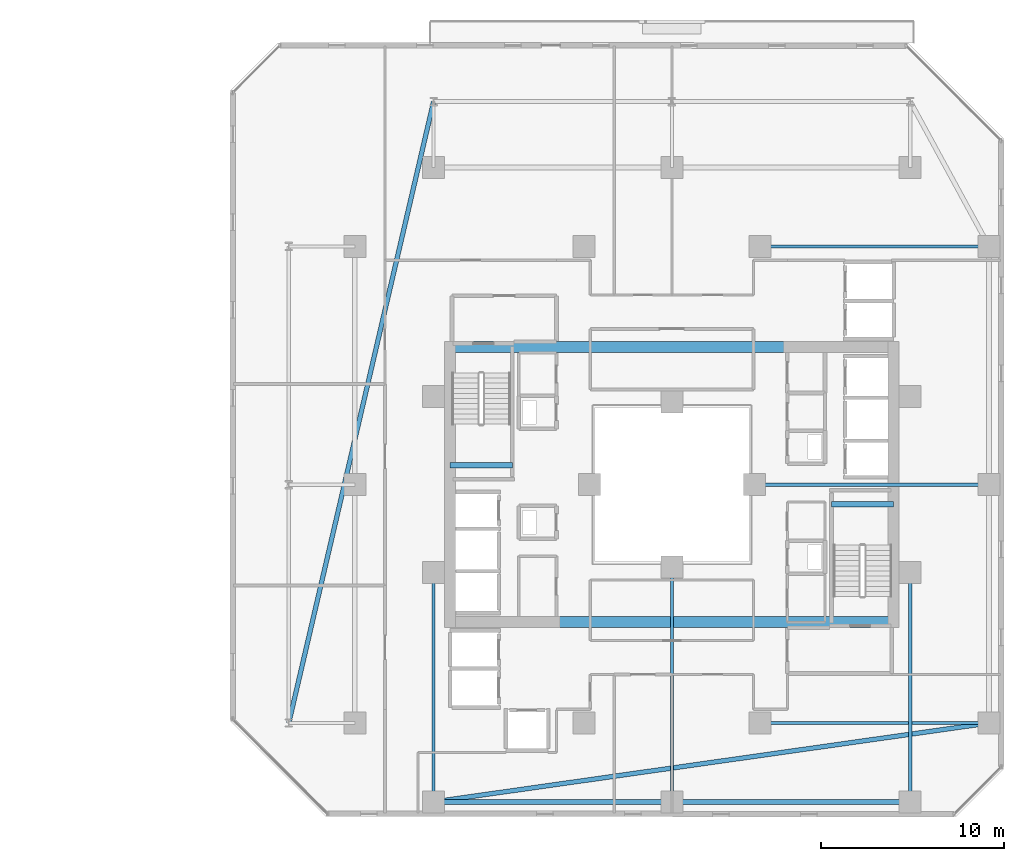
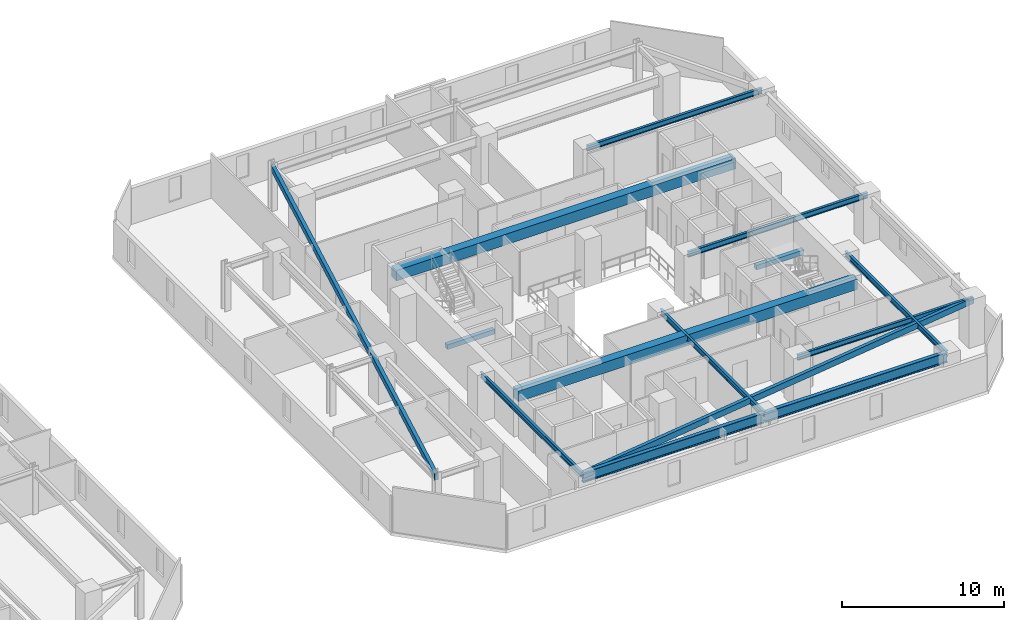
# One storey, part 11 of 31: 14 beams.
"""IFC4 building model written with IfcOpenShell, lengths in metres."""

from ifc_helpers import new_model, si_unit, direction, frame, origin, origin_2d, place, context, subcontext, project, spatial, rectangle, hollow_rectangle, i_section, extrude, material, material_profile, profile_set, type_object, element, save


model = new_model("IFC4")

# Units and contexts
model_context = context("Model", 3, precision=1e-05, world=origin(), true_north=direction((0.0, 1.0)))
body_context = subcontext(model_context, "Body", "Model", "MODEL_VIEW")
ifc_project = project(units=[si_unit("LENGTHUNIT", "METRE"), si_unit("AREAUNIT", "SQUARE_METRE"), si_unit("VOLUMEUNIT", "CUBIC_METRE"), si_unit("PLANEANGLEUNIT", "RADIAN"), si_unit("MASSUNIT", "GRAM", prefix="KILO")], contexts=[model_context])

# Site, building, storey
site_placement = place(None, origin())
site = spatial("IfcSite", under=ifc_project, at=site_placement, CompositionType="ELEMENT")
building_placement = place(site_placement, origin())
building = spatial("IfcBuilding", under=site, at=building_placement, Name="Thornwick Lancets Civic Towers", CompositionType="ELEMENT")
storey_placement = place(building_placement, frame((0.0, 0.0, 87.300048828125)))
storey = spatial("IfcBuildingStorey", under=building, at=storey_placement, Name="L22", CompositionType="ELEMENT", Elevation=87.300048828125)

# Beams
ifc_material_1 = material(Name="Concrete C60/75", Category="concrete")
ifc_material_profile_1 = material_profile(ifc_material_1, rectangle(XDim=0.60009765625, YDim=0.800048828125, at=origin_2d()), Name="RC 600x800")
ifc_profile_set_1 = profile_set([ifc_material_profile_1], Name="Concrete C60/75")
beam_type_1 = type_object("IfcBeamType", Name="BM_COUP_RC800", PredefinedType="BEAM", material=ifc_profile_set_1)
for number, where, z_axis, x_axis, name in (
    (1, (76.39990234375, 34.5, 2.9599609375), (1.0, 0.0, 0.0), (0.0, 1.0, 0.0), "CB-L22-B1"),
    (2, (76.39990234375, 19.5, 2.9599609375), (1.0, 0.0, 0.0), (0.0, 1.0, 0.0), "CB-L22-B2"),
):
    element("IfcBeam", number, at=place(storey_placement, frame(where, z_axis=z_axis, x_axis=x_axis)), inside=storey, type_object=beam_type_1, Name=name, PredefinedType="BEAM", context=body_context, shape_type="SweptSolid", body=[
        extrude(rectangle(XDim=0.60009765625, YDim=0.800048828125, at=origin_2d()), origin(), (0.0, 0.0, 1.0), 24.2001953125),
    ])
ifc_material_2 = material(Name="Steel S355JR", Category="steel")
ifc_material_profile_2 = material_profile(ifc_material_2, i_section(OverallWidth=0.26806640625, OverallDepth=0.769775390625, WebThickness=0.015625, FlangeThickness=0.025390625, FilletRadius=0.0166015625, at=origin_2d()), Name="UKB 762x267x197")
ifc_profile_set_2 = profile_set([ifc_material_profile_2], Name="Steel S355JR")
beam_type_2 = type_object("IfcBeamType", Name="BM_GIRD_762_197", PredefinedType="BEAM", material=ifc_profile_set_2)
beam_1_placement = place(storey_placement, frame((101.5, 9.699951171875, 2.97509765625), z_axis=(-1.0, 0.0, 0.0), x_axis=(0.0, -1.0, 0.0)))
element("IfcBeam", 3, at=beam_1_placement, inside=storey, type_object=beam_type_2, Name="BM-SPINE-L22-B-9-10", PredefinedType="BEAM", context=body_context, shape_type="SweptSolid", body=[
    extrude(i_section(OverallWidth=0.26806640625, OverallDepth=0.769775390625, WebThickness=0.015625, FlangeThickness=0.025390625, FilletRadius=0.0166015625, at=origin_2d()), origin(), (0.0, 0.0, 1.0), 13.0),
])
beam_2_placement = place(storey_placement, frame((88.419921875, 9.699951171875, 2.97509765625), z_axis=(-1.0, 0.0, 0.0), x_axis=(0.0, -1.0, 0.0)))
element("IfcBeam", 4, at=beam_2_placement, inside=storey, type_object=beam_type_2, Name="BM-SPINE-L22-B-10-11", PredefinedType="BEAM", context=body_context, shape_type="SweptSolid", body=[
    extrude(i_section(OverallWidth=0.26806640625, OverallDepth=0.769775390625, WebThickness=0.015625, FlangeThickness=0.025390625, FilletRadius=0.0166015625, at=origin_2d()), origin(), (0.0, 0.0, 1.0), 12.919921875),
])
ifc_material_profile_3 = material_profile(ifc_material_2, i_section(OverallWidth=0.179443359375, OverallDepth=0.412841796875, WebThickness=0.009521484375, FlangeThickness=0.01611328125, FilletRadius=0.01025390625, at=origin_2d()), Name="UKB 406x178x74")
ifc_profile_set_3 = profile_set([ifc_material_profile_3], Name="Steel S355JR")
beam_type_3 = type_object("IfcBeamType", Name="BM_JOIST_406_74", PredefinedType="JOIST", material=ifc_profile_set_3)
beam_3_placement = place(storey_placement, frame((93.300048828125, 14.0, 3.153564453125), z_axis=(1.0, 0.0, 0.0), x_axis=(0.0, 1.0, 0.0)))
element("IfcBeam", 5, at=beam_3_placement, inside=storey, type_object=beam_type_3, Name="BM-RADIN-L22-B01", PredefinedType="JOIST", context=body_context, shape_type="SweptSolid", body=[
    extrude(i_section(OverallWidth=0.179443359375, OverallDepth=0.412841796875, WebThickness=0.009521484375, FlangeThickness=0.01611328125, FilletRadius=0.01025390625, at=origin_2d()), origin(), (0.0, 0.0, 1.0), 12.5),
])
beam_4_placement = place(storey_placement, frame((93.0, 27.0, 3.153564453125), z_axis=(1.0, 0.0, 0.0), x_axis=(0.0, 1.0, 0.0)))
element("IfcBeam", 6, at=beam_4_placement, inside=storey, type_object=beam_type_3, Name="BM-RADIN-L22-B02", PredefinedType="JOIST", context=body_context, shape_type="SweptSolid", body=[
    extrude(i_section(OverallWidth=0.179443359375, OverallDepth=0.412841796875, WebThickness=0.009521484375, FlangeThickness=0.01611328125, FilletRadius=0.01025390625, at=origin_2d()), origin(), (0.0, 0.0, 1.0), 12.800048828125),
])
for number, where, z_axis, x_axis, name in (
    (7, (93.300048828125, 40.0, 3.153564453125), (1.0, 0.0, 0.0), (0.0, 1.0, 0.0), "BM-RADIN-L22-B03"),
    (8, (101.5, 22.199951171875, 3.153564453125), (0.0, -1.0, 0.0), (1.0, 0.0, 0.0), "BM-RADIN-L22-B10"),
):
    element("IfcBeam", number, at=place(storey_placement, frame(where, z_axis=z_axis, x_axis=x_axis)), inside=storey, type_object=beam_type_3, Name=name, PredefinedType="JOIST", context=body_context, shape_type="SweptSolid", body=[
        extrude(i_section(OverallWidth=0.179443359375, OverallDepth=0.412841796875, WebThickness=0.009521484375, FlangeThickness=0.01611328125, FilletRadius=0.01025390625, at=origin_2d()), origin(), (0.0, 0.0, 1.0), 12.5),
    ])
beam_5_placement = place(storey_placement, frame((88.5, 22.5, 3.153564453125), z_axis=(0.0, -1.0, 0.0), x_axis=(1.0, 0.0, 0.0)))
element("IfcBeam", 9, at=beam_5_placement, inside=storey, type_object=beam_type_3, Name="BM-RADIN-L22-B11", PredefinedType="JOIST", context=body_context, shape_type="SweptSolid", body=[
    extrude(i_section(OverallWidth=0.179443359375, OverallDepth=0.412841796875, WebThickness=0.009521484375, FlangeThickness=0.01611328125, FilletRadius=0.01025390625, at=origin_2d()), origin(), (0.0, 0.0, 1.0), 12.800048828125),
])
beam_6_placement = place(storey_placement, frame((75.5, 22.199951171875, 3.153564453125), z_axis=(0.0, -1.0, 0.0), x_axis=(1.0, 0.0, 0.0)))
element("IfcBeam", 10, at=beam_6_placement, inside=storey, type_object=beam_type_3, Name="BM-RADIN-L22-B12", PredefinedType="JOIST", context=body_context, shape_type="SweptSolid", body=[
    extrude(i_section(OverallWidth=0.179443359375, OverallDepth=0.412841796875, WebThickness=0.009521484375, FlangeThickness=0.01611328125, FilletRadius=0.01025390625, at=origin_2d()), origin(), (0.0, 0.0, 1.0), 12.5),
])
ifc_material_profile_4 = material_profile(ifc_material_2, hollow_rectangle(XDim=0.25, YDim=0.449951171875, WallThickness=0.01611328125, at=origin_2d()), Name="RHS 450x250x16")
ifc_profile_set_4 = profile_set([ifc_material_profile_4], Name="Steel S355JR")
beam_type_4 = type_object("IfcBeamType", Name="BM_RING_RHS450", PredefinedType="BEAM", material=ifc_profile_set_4)
beam_7_placement = place(storey_placement, frame((75.5, 47.89990234375, 3.135009765625), z_axis=(-0.226955111866, -0.973905219823, 0.0), x_axis=(0.973905219823, -0.226955111866, 0.0)))
element("IfcBeam", 11, at=beam_7_placement, inside=storey, type_object=beam_type_4, Name="BM-CHAMF-L22-B-C1", PredefinedType="BEAM", context=body_context, shape_type="SweptSolid", body=[
    extrude(hollow_rectangle(XDim=0.25, YDim=0.449951171875, WallThickness=0.01611328125, at=origin_2d()), origin(), (0.0, 0.0, 1.0), 34.80810546875),
])
beam_8_placement = place(storey_placement, frame((75.5, 9.699951171875, 3.135009765625), z_axis=(0.990079584012, 0.140507712682, 0.0), x_axis=(-0.140507712682, 0.990079584012, 0.0)))
element("IfcBeam", 12, at=beam_8_placement, inside=storey, type_object=beam_type_4, Name="BM-CHAMF-L22-B-C3", PredefinedType="BEAM", context=body_context, shape_type="SweptSolid", body=[
    extrude(hollow_rectangle(XDim=0.25, YDim=0.449951171875, WallThickness=0.01611328125, at=origin_2d()), origin(), (0.0, 0.0, 1.0), 30.603759765625),
])
ifc_material_3 = material(Name="Concrete C40/50", Category="concrete")
ifc_material_profile_5 = material_profile(ifc_material_3, rectangle(XDim=0.300048828125, YDim=0.35009765625, at=origin_2d()), Name="RC 300x350")
ifc_profile_set_5 = profile_set([ifc_material_profile_5], Name="Concrete C40/50")
beam_type_5 = type_object("IfcBeamType", Name="BM_STAIR_LDG", PredefinedType="BEAM", material=ifc_profile_set_5)
for number, where, z_axis, x_axis, name in (
    (13, (100.60009765625, 25.93505859375, 1.3779296875), (-1.0, 0.0, 0.0), (0.0, -1.0, 0.0), "L22 ST-B1 Landing Support Beam 1"),
    (14, (76.39990234375, 28.06494140625, 1.3779296875), (1.0, 0.0, 0.0), (0.0, 1.0, 0.0), "L22 ST-B2 Landing Support Beam 1"),
):
    element("IfcBeam", number, at=place(storey_placement, frame(where, z_axis=z_axis, x_axis=x_axis)), inside=storey, type_object=beam_type_5, Name=name, PredefinedType="BEAM", context=body_context, shape_type="SweptSolid", body=[
        extrude(rectangle(XDim=0.300048828125, YDim=0.35009765625, at=origin_2d()), origin(), (0.0, 0.0, 1.0), 3.400146484375),
    ])

save(model, "model.ifc")
